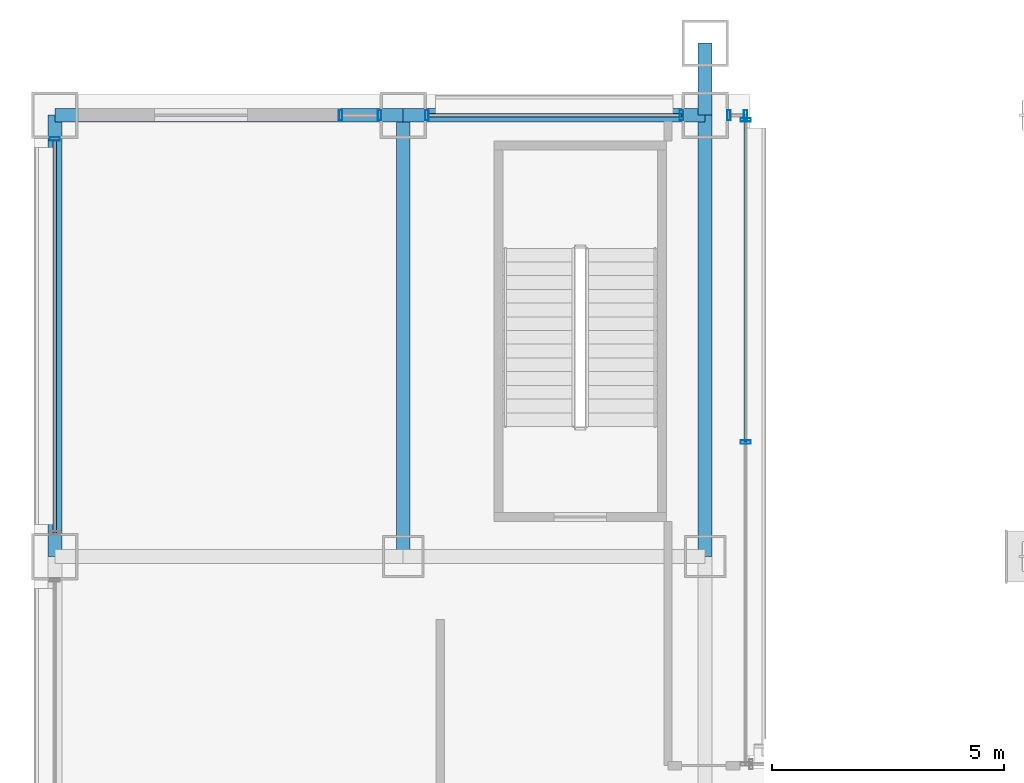
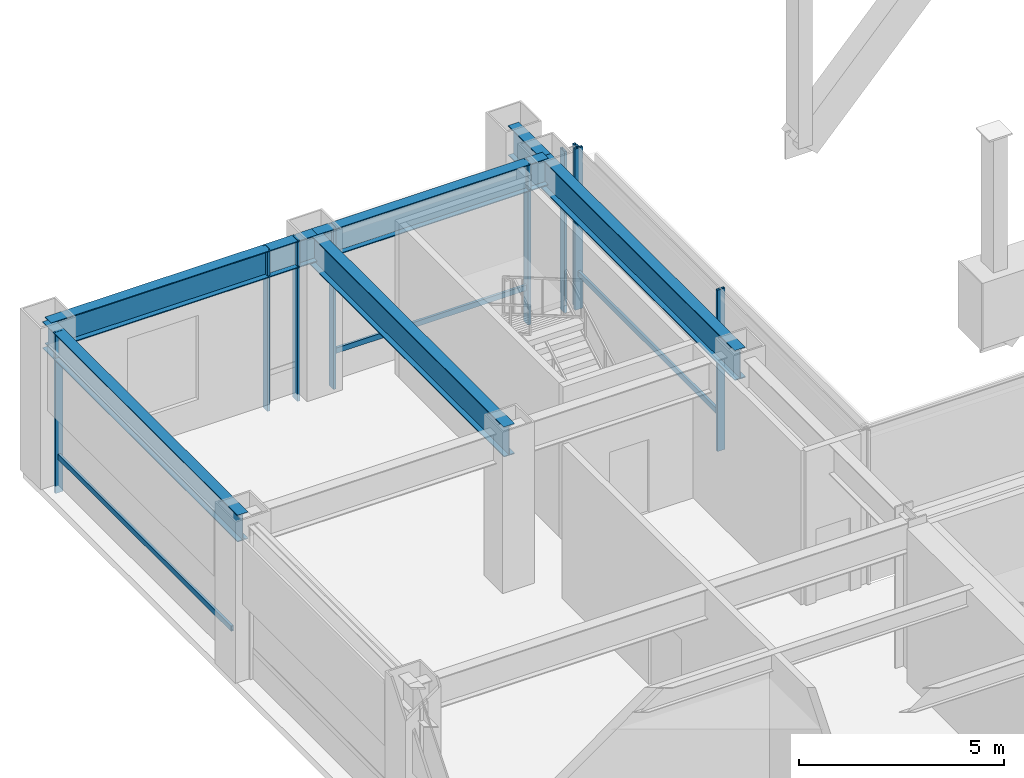
# One storey, part 20 of 42: 12 members, 6 beams, 5 elements without a shape of their own.
"""IFC4 building model written with IfcOpenShell, lengths in metres."""

from ifc_helpers import new_model, si_unit, direction, frame, origin, origin_2d, place, context, subcontext, project, spatial, hollow_rectangle, i_section, extrude, material, layer, layer_set, material_profile, profile_set, type_object, element, aggregate, save


model = new_model("IFC4")

# Units and contexts
model_context = context("Model", 3, precision=1e-05, world=origin(), true_north=direction((0.0, 1.0)))
body_context = subcontext(model_context, "Body", "Model", "MODEL_VIEW")
ifc_project = project(units=[si_unit("LENGTHUNIT", "METRE"), si_unit("AREAUNIT", "SQUARE_METRE"), si_unit("VOLUMEUNIT", "CUBIC_METRE"), si_unit("PLANEANGLEUNIT", "RADIAN"), si_unit("MASSUNIT", "GRAM", prefix="KILO")], contexts=[model_context])

# Site, building, storey
site_placement = place(None, origin())
site = spatial("IfcSite", under=ifc_project, at=site_placement, CompositionType="ELEMENT")
building_placement = place(site_placement, origin())
building = spatial("IfcBuilding", under=site, at=building_placement, Name="Brelmoor Portico Tower", CompositionType="ELEMENT")
storey_placement = place(building_placement, frame((0.0, 0.0, 9.60009765625)))
storey = spatial("IfcBuildingStorey", under=building, at=storey_placement, Name="L02", CompositionType="ELEMENT", Elevation=9.60009765625)

# Beams
ifc_material_1 = material(Name="Steel Q355B", Category="steel")
ifc_material_profile_1 = material_profile(ifc_material_1, i_section(OverallWidth=0.300048828125, OverallDepth=0.89990234375, WebThickness=0.01611328125, FlangeThickness=0.028076171875, at=origin_2d()), Name="HN 900x300x16x28")
ifc_profile_set_1 = profile_set([ifc_material_profile_1], Name="Steel Q355B")
beam_type_1 = type_object("IfcBeamType", Name="BM-PG-900", PredefinedType="BEAM", material=ifc_profile_set_1)
for number, where, z_axis, x_axis, name in (
    (1, (-21.050048828125, 18.050048828125, 4.1298828125), (0.0, 1.0, 0.0), (-1.0, 0.0, 0.0), "L02 Primary Floor Girder PG-02"),
    (2, (-14.550048828125, 18.050048828125, 4.1298828125), (0.0, 1.0, 0.0), (-1.0, 0.0, 0.0), "L02 Primary Floor Girder PG-09"),
):
    element("IfcBeam", number, at=place(storey_placement, frame(where, z_axis=z_axis, x_axis=x_axis)), inside=storey, type_object=beam_type_1, Name=name, PredefinedType="BEAM", context=body_context, shape_type="SweptSolid", body=[
        extrude(i_section(OverallWidth=0.300048828125, OverallDepth=0.89990234375, WebThickness=0.01611328125, FlangeThickness=0.028076171875, at=origin_2d()), origin(), (0.0, 0.0, 1.0), 9.5),
    ])
beam_1_placement = place(storey_placement, frame((-14.550048828125, 27.550048828125, 4.1298828125), z_axis=(0.0, 1.0, 0.0), x_axis=(-1.0, 0.0, 0.0)))
element("IfcBeam", 3, at=beam_1_placement, inside=storey, type_object=beam_type_1, Name="L02 Primary Floor Girder PG-10", PredefinedType="BEAM", context=body_context, shape_type="SweptSolid", body=[
    extrude(i_section(OverallWidth=0.300048828125, OverallDepth=0.89990234375, WebThickness=0.01611328125, FlangeThickness=0.028076171875, at=origin_2d()), origin(), (0.0, 0.0, 1.0), 1.550048828125),
])
ifc_material_profile_2 = material_profile(ifc_material_1, i_section(OverallWidth=0.300048828125, OverallDepth=0.800048828125, WebThickness=0.013916015625, FlangeThickness=0.02587890625, at=origin_2d()), Name="HN 800x300x14x26")
ifc_profile_set_2 = profile_set([ifc_material_profile_2], Name="Steel Q355B")
beam_type_2 = type_object("IfcBeamType", Name="BM-SP-800", PredefinedType="SPANDREL", material=ifc_profile_set_2)
beam_2_placement = place(storey_placement, frame((-28.550048828125, 27.550048828125, 4.179931640625), z_axis=(1.0, 0.0, 0.0), x_axis=(0.0, 1.0, 0.0)))
element("IfcBeam", 4, at=beam_2_placement, inside=storey, type_object=beam_type_2, Name="L02 Perimeter Spandrel Beam SP-05", PredefinedType="SPANDREL", context=body_context, shape_type="SweptSolid", body=[
    extrude(i_section(OverallWidth=0.300048828125, OverallDepth=0.800048828125, WebThickness=0.013916015625, FlangeThickness=0.02587890625, at=origin_2d()), origin(), (0.0, 0.0, 1.0), 7.5),
])
beam_3_placement = place(storey_placement, frame((-21.050048828125, 27.550048828125, 4.179931640625), z_axis=(1.0, 0.0, 0.0), x_axis=(0.0, 1.0, 0.0)))
element("IfcBeam", 5, at=beam_3_placement, inside=storey, type_object=beam_type_2, Name="L02 Perimeter Spandrel Beam SP-06", PredefinedType="SPANDREL", context=body_context, shape_type="SweptSolid", body=[
    extrude(i_section(OverallWidth=0.300048828125, OverallDepth=0.800048828125, WebThickness=0.013916015625, FlangeThickness=0.02587890625, at=origin_2d()), origin(), (0.0, 0.0, 1.0), 6.5),
])
beam_4_placement = place(storey_placement, frame((-28.550048828125, 18.050048828125, 4.179931640625), z_axis=(0.0, 1.0, 0.0), x_axis=(-1.0, 0.0, 0.0)))
element("IfcBeam", 6, at=beam_4_placement, inside=storey, type_object=beam_type_2, Name="L02 Perimeter Spandrel Beam SP-14", PredefinedType="SPANDREL", context=body_context, shape_type="SweptSolid", body=[
    extrude(i_section(OverallWidth=0.300048828125, OverallDepth=0.800048828125, WebThickness=0.013916015625, FlangeThickness=0.02587890625, at=origin_2d()), origin(), (0.0, 0.0, 1.0), 9.5),
])

# Curtain wall, members
ifc_material_2 = material(Name="Anodised Aluminium Alloy 6063-T6", Category="aluminium")
ifc_layer = layer(ifc_material_2, 0.179931640625)
ifc_layer_set = layer_set([ifc_layer], Name="Anodised Aluminium Alloy 6063-T6")
curtain_wall_type = type_object("IfcCurtainWallType", Name="CW-PODIUM-ARCH", PredefinedType="NOTDEFINED", material=ifc_layer_set)
curtain_wall_1_placement = place(storey_placement, origin())
curtain_wall_1 = element("IfcCurtainWall", 7, at=curtain_wall_1_placement, inside=storey, type_object=curtain_wall_type, Name="L02 Curtain Wall CW-L02-03-1", PredefinedType="NOTDEFINED")
ifc_material_profile_3 = material_profile(ifc_material_2, hollow_rectangle(XDim=0.074951171875, YDim=0.219970703125, WallThickness=0.0048828125, at=origin_2d()), Name="ALU MULLION 75x220")
ifc_profile_set_3 = profile_set([ifc_material_profile_3], Name="Anodised Aluminium Alloy 6063-T6")
member_type_1 = type_object("IfcMemberType", Name="MB-CW-MULL-220", PredefinedType="MULLION", material=ifc_profile_set_3)
member_1_placement = place(storey_placement, frame((-22.39990234375, 27.550048828125, -0.22021484375), z_axis=(0.0, 0.0, 1.0), x_axis=(1.0, 0.0, 0.0)))
member_1 = element("IfcMember", 8, at=member_1_placement, type_object=member_type_1, Name="CW-L02-03-1 Mullion 00", PredefinedType="MULLION", context=body_context, shape_type="SweptSolid", body=[
    extrude(hollow_rectangle(XDim=0.074951171875, YDim=0.219970703125, WallThickness=0.0048828125, at=origin_2d()), origin(), (0.0, 0.0, 1.0), 4.800048828125),
])
member_2_placement = place(storey_placement, frame((-21.56005859375, 27.550048828125, -0.22021484375), z_axis=(0.0, 0.0, 1.0), x_axis=(1.0, 0.0, 0.0)))
member_2 = element("IfcMember", 9, at=member_2_placement, type_object=member_type_1, Name="CW-L02-03-1 Mullion 01", PredefinedType="MULLION", context=body_context, shape_type="SweptSolid", body=[
    extrude(hollow_rectangle(XDim=0.074951171875, YDim=0.219970703125, WallThickness=0.0048828125, at=origin_2d()), origin(), (0.0, 0.0, 1.0), 4.800048828125),
])
aggregate(curtain_wall_1, [member_1, member_2])

curtain_wall_2_placement = place(storey_placement, origin())
curtain_wall_2 = element("IfcCurtainWall", 10, at=curtain_wall_2_placement, inside=storey, type_object=curtain_wall_type, Name="L02 Curtain Wall CW-L02-03-2", PredefinedType="NOTDEFINED")
member_3_placement = place(storey_placement, frame((-20.5400390625, 27.550048828125, -0.22021484375), z_axis=(0.0, 0.0, 1.0), x_axis=(1.0, 0.0, 0.0)))
member_3 = element("IfcMember", 11, at=member_3_placement, type_object=member_type_1, Name="CW-L02-03-2 Mullion 00", PredefinedType="MULLION", context=body_context, shape_type="SweptSolid", body=[
    extrude(hollow_rectangle(XDim=0.074951171875, YDim=0.219970703125, WallThickness=0.0048828125, at=origin_2d()), origin(), (0.0, 0.0, 1.0), 4.800048828125),
])
member_4_placement = place(storey_placement, frame((-15.06005859375, 27.550048828125, -0.22021484375), z_axis=(0.0, 0.0, 1.0), x_axis=(1.0, 0.0, 0.0)))
member_4 = element("IfcMember", 12, at=member_4_placement, type_object=member_type_1, Name="CW-L02-03-2 Mullion 01", PredefinedType="MULLION", context=body_context, shape_type="SweptSolid", body=[
    extrude(hollow_rectangle(XDim=0.074951171875, YDim=0.219970703125, WallThickness=0.0048828125, at=origin_2d()), origin(), (0.0, 0.0, 1.0), 4.800048828125),
])

curtain_wall_3_placement = place(storey_placement, origin())
curtain_wall_3 = element("IfcCurtainWall", 13, at=curtain_wall_3_placement, inside=storey, type_object=curtain_wall_type, Name="L02 Curtain Wall CW-L02-03-3", PredefinedType="NOTDEFINED")
member_5_placement = place(storey_placement, frame((-14.0400390625, 27.550048828125, -0.22021484375), z_axis=(0.0, 0.0, 1.0), x_axis=(1.0, 0.0, 0.0)))
member_5 = element("IfcMember", 14, at=member_5_placement, type_object=member_type_1, Name="CW-L02-03-3 Mullion 00", PredefinedType="MULLION", context=body_context, shape_type="SweptSolid", body=[
    extrude(hollow_rectangle(XDim=0.074951171875, YDim=0.219970703125, WallThickness=0.0048828125, at=origin_2d()), origin(), (0.0, 0.0, 1.0), 4.800048828125),
])
member_6_placement = place(storey_placement, frame((-13.679931640625, 27.550048828125, -0.22021484375), z_axis=(0.0, 0.0, 1.0), x_axis=(1.0, 0.0, 0.0)))
member_6 = element("IfcMember", 15, at=member_6_placement, type_object=member_type_1, Name="CW-L02-03-3 Mullion 01", PredefinedType="MULLION", context=body_context, shape_type="SweptSolid", body=[
    extrude(hollow_rectangle(XDim=0.074951171875, YDim=0.219970703125, WallThickness=0.0048828125, at=origin_2d()), origin(), (0.0, 0.0, 1.0), 4.800048828125),
])
aggregate(curtain_wall_3, [member_5, member_6])

# Curtain wall, member
curtain_wall_4_placement = place(storey_placement, origin())
curtain_wall_4 = element("IfcCurtainWall", 16, at=curtain_wall_4_placement, inside=storey, type_object=curtain_wall_type, Name="L02 Curtain Wall CW-L02-05-6", PredefinedType="NOTDEFINED")
member_7_placement = place(storey_placement, frame((-28.550048828125, 27.0400390625, -0.22021484375), z_axis=(0.0, 0.0, 1.0), x_axis=(0.0, 1.0, 0.0)))
member_7 = element("IfcMember", 17, at=member_7_placement, type_object=member_type_1, Name="CW-L02-05-6 Mullion 01", PredefinedType="MULLION", context=body_context, shape_type="SweptSolid", body=[
    extrude(hollow_rectangle(XDim=0.074951171875, YDim=0.219970703125, WallThickness=0.0048828125, at=origin_2d()), origin(), (0.0, 0.0, 1.0), 4.800048828125),
])

# Curtain wall, members
curtain_wall_5_placement = place(storey_placement, origin())
curtain_wall_5 = element("IfcCurtainWall", 18, at=curtain_wall_5_placement, inside=storey, type_object=curtain_wall_type, Name="L02 Curtain Wall CW-L02-09", PredefinedType="NOTDEFINED")
member_8_placement = place(storey_placement, frame((-13.679931640625, 20.514892578125, -0.22021484375), z_axis=(0.0, 0.0, 1.0), x_axis=(0.0, 1.0, 0.0)))
member_8 = element("IfcMember", 19, at=member_8_placement, type_object=member_type_1, Name="CW-L02-09 Mullion 01", PredefinedType="MULLION", context=body_context, shape_type="SweptSolid", body=[
    extrude(hollow_rectangle(XDim=0.074951171875, YDim=0.219970703125, WallThickness=0.0048828125, at=origin_2d()), origin(), (0.0, 0.0, 1.0), 4.800048828125),
])
member_9_placement = place(storey_placement, frame((-13.679931640625, 27.449951171875, -0.22021484375), z_axis=(0.0, 0.0, 1.0), x_axis=(0.0, 1.0, 0.0)))
member_9 = element("IfcMember", 20, at=member_9_placement, type_object=member_type_1, Name="CW-L02-09 Mullion 02", PredefinedType="MULLION", context=body_context, shape_type="SweptSolid", body=[
    extrude(hollow_rectangle(XDim=0.074951171875, YDim=0.219970703125, WallThickness=0.0048828125, at=origin_2d()), origin(), (0.0, 0.0, 1.0), 4.800048828125),
])

# Member
ifc_material_profile_4 = material_profile(ifc_material_2, hollow_rectangle(XDim=0.070068359375, YDim=0.159912109375, WallThickness=0.00390625, at=origin_2d()), Name="ALU TRANSOM 70x160")
ifc_profile_set_4 = profile_set([ifc_material_profile_4], Name="Anodised Aluminium Alloy 6063-T6")
member_type_2 = type_object("IfcMemberType", Name="MB-CW-TRAN-160", PredefinedType="USERDEFINED", material=ifc_profile_set_4)
member_10_placement = place(storey_placement, frame((-20.5400390625, 27.550048828125, 0.849853515625), z_axis=(1.0, 0.0, 0.0), x_axis=(0.0, 1.0, 0.0)))
member_10 = element("IfcMember", 21, at=member_10_placement, type_object=member_type_2, Name="CW-L02-03-2 Transom 1-00", ObjectType="TRANSOM", PredefinedType="USERDEFINED", context=body_context, shape_type="SweptSolid", body=[
    extrude(hollow_rectangle(XDim=0.070068359375, YDim=0.159912109375, WallThickness=0.00390625, at=origin_2d()), origin(), (0.0, 0.0, 1.0), 5.47998046875),
])

aggregate(curtain_wall_2, [member_3, member_4, member_10])

member_11_placement = place(storey_placement, frame((-28.550048828125, 18.56005859375, 0.849853515625), z_axis=(0.0, 1.0, 0.0), x_axis=(-1.0, 0.0, 0.0)))
member_11 = element("IfcMember", 22, at=member_11_placement, type_object=member_type_2, Name="CW-L02-05-6 Transom 1-00", ObjectType="TRANSOM", PredefinedType="USERDEFINED", context=body_context, shape_type="SweptSolid", body=[
    extrude(hollow_rectangle(XDim=0.070068359375, YDim=0.159912109375, WallThickness=0.00390625, at=origin_2d()), origin(), (0.0, 0.0, 1.0), 8.47998046875),
])

aggregate(curtain_wall_4, [member_7, member_11])

member_12_placement = place(storey_placement, frame((-13.679931640625, 20.514892578125, 0.849853515625), z_axis=(0.0, 1.0, 0.0), x_axis=(-1.0, 0.0, 0.0)))
member_12 = element("IfcMember", 23, at=member_12_placement, type_object=member_type_2, Name="CW-L02-09 Transom 1-01", ObjectType="TRANSOM", PredefinedType="USERDEFINED", context=body_context, shape_type="SweptSolid", body=[
    extrude(hollow_rectangle(XDim=0.070068359375, YDim=0.159912109375, WallThickness=0.00390625, at=origin_2d()), origin(), (0.0, 0.0, 1.0), 6.93505859375),
])

aggregate(curtain_wall_5, [member_8, member_9, member_12])

save(model, "model.ifc")
